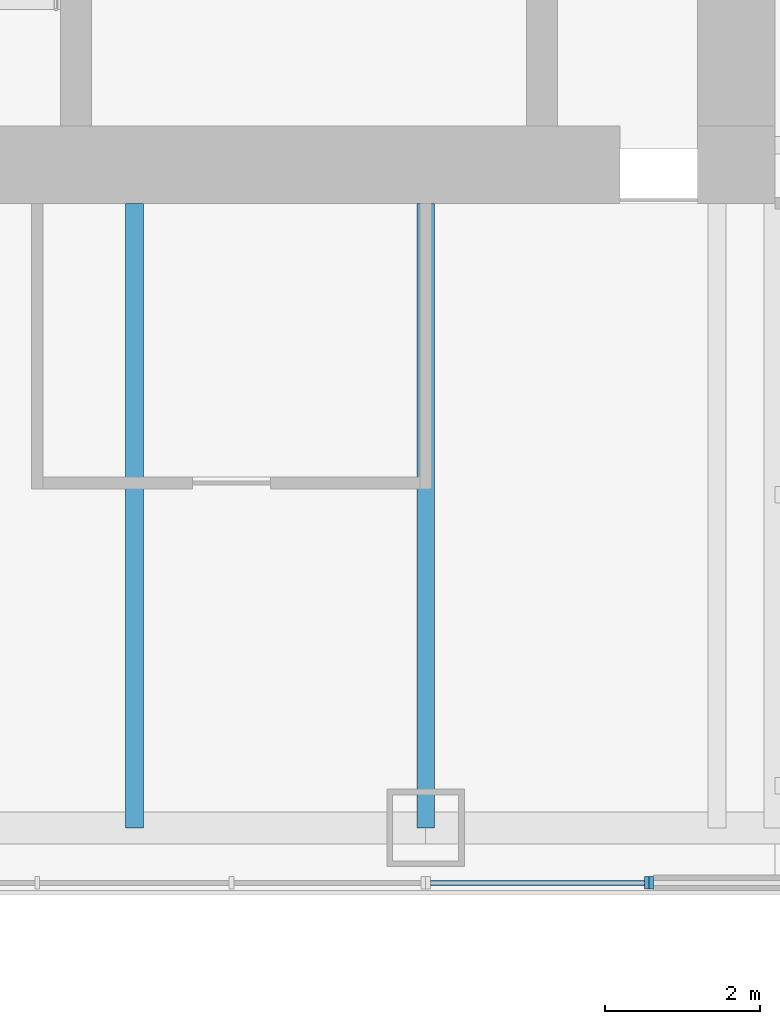
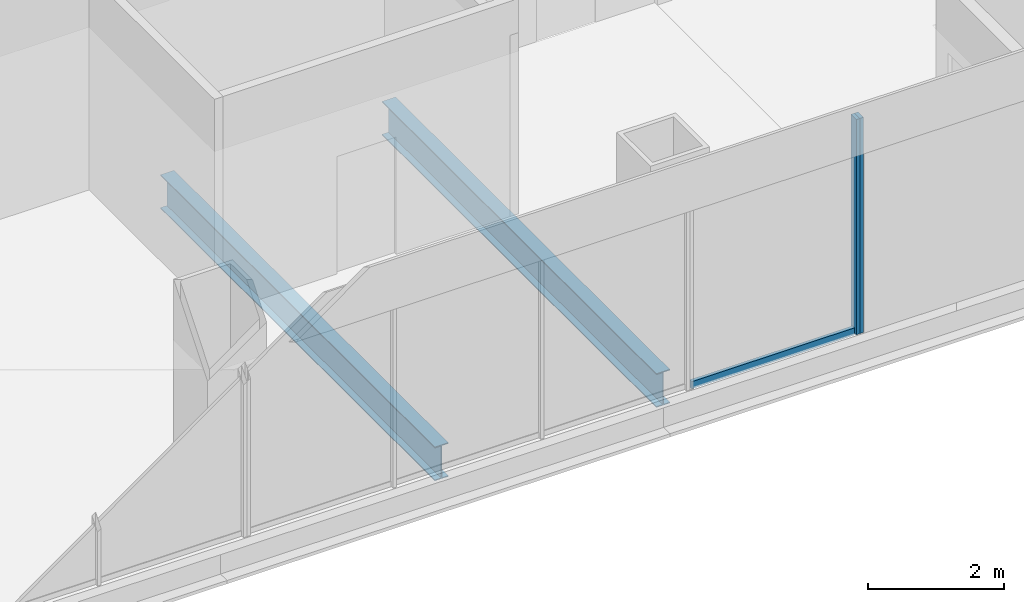
# One storey, part 3 of 14: 3 members, 2 beams, 2 elements without a shape of their own.
"""IFC4 building model written with IfcOpenShell, lengths in metres."""

from ifc_helpers import new_model, si_unit, direction, frame, origin, origin_2d, place, context, subcontext, project, spatial, rectangle, i_section, extrude, material, material_profile, profile_set, type_object, element, aggregate, save


model = new_model("IFC4")

# Units and contexts
model_context = context("Model", 3, precision=1e-05, world=origin(), true_north=direction((0.0, 1.0)))
body_context = subcontext(model_context, "Body", "Model", "MODEL_VIEW")
ifc_project = project(units=[si_unit("LENGTHUNIT", "METRE"), si_unit("AREAUNIT", "SQUARE_METRE"), si_unit("VOLUMEUNIT", "CUBIC_METRE"), si_unit("PLANEANGLEUNIT", "RADIAN"), si_unit("MASSUNIT", "GRAM", prefix="KILO")], contexts=[model_context])

# Site, building, storey
site_placement = place(None, origin())
site = spatial("IfcSite", under=ifc_project, at=site_placement, CompositionType="ELEMENT")
building_placement = place(site_placement, origin())
building = spatial("IfcBuilding", under=site, at=building_placement, Name="Tarangal Relay Tower", CompositionType="ELEMENT")
storey_placement = place(building_placement, frame((0.0, 0.0, 327.89990234375)))
storey = spatial("IfcBuildingStorey", under=building, at=storey_placement, Name="L73", CompositionType="ELEMENT", Elevation=327.89990234375)

# Beams
ifc_material_1 = material(Name="Steel ASTM A992", Category="steel")
ifc_material_profile_1 = material_profile(ifc_material_1, i_section(OverallWidth=0.228271484375, OverallDepth=0.607177734375, WebThickness=0.01123046875, FlangeThickness=0.017333984375, at=origin_2d()), Name="W24X76")
ifc_profile_set_1 = profile_set([ifc_material_profile_1], Name="Steel ASTM A992")
beam_type = type_object("IfcBeamType", Name="Floor beam W24X76", PredefinedType="BEAM", material=ifc_profile_set_1)
for number, where, z_axis, x_axis, name in (
    (1, (7.5, -12.0, -0.453369140625), (0.0, -1.0, 0.0), (1.0, 0.0, 0.0), "Floor beam RB5 S L73"),
    (2, (3.75, -12.0, -0.453369140625), (0.0, -1.0, 0.0), (1.0, 0.0, 0.0), "Floor beam RB5 S L73"),
):
    element("IfcBeam", number, at=place(storey_placement, frame(where, z_axis=z_axis, x_axis=x_axis)), inside=storey, type_object=beam_type, Name=name, PredefinedType="BEAM", context=body_context, shape_type="SweptSolid", body=[
        extrude(i_section(OverallWidth=0.228271484375, OverallDepth=0.607177734375, WebThickness=0.01123046875, FlangeThickness=0.017333984375, at=origin_2d()), origin(), (0.0, 0.0, 1.0), 8.0400390625),
    ])

# Curtain wall, member
ifc_material_2 = material(Name="Unitised curtain wall, dark glass and black aluminium", Category="aluminium")
curtain_wall_type_1 = type_object("IfcCurtainWallType", Name="Curtain wall CW-B", PredefinedType="USERDEFINED", material=ifc_material_2)
curtain_wall_1_placement = place(storey_placement, origin())
curtain_wall_1 = element("IfcCurtainWall", 3, at=curtain_wall_1_placement, inside=storey, type_object=curtain_wall_type_1, Name="Curtain wall CW-B S facade L73", ObjectType="UNITISED CURTAIN WALL", PredefinedType="USERDEFINED")
ifc_material_3 = material(Name="Black anodised aluminium mullion", Category="aluminium")
ifc_material_profile_2 = material_profile(ifc_material_3, rectangle(XDim=0.159912109375, YDim=0.06005859375, at=origin_2d()), Name="CW-BM 60X160")
ifc_profile_set_2 = profile_set([ifc_material_profile_2], Name="Black anodised aluminium mullion")
member_type_1 = type_object("IfcMemberType", Name="Mullion CW-B 60 x 160", PredefinedType="MULLION", material=ifc_profile_set_2)
member_1_placement = place(storey_placement, frame((10.344970703125, -20.75, 0.0), z_axis=(0.0, 0.0, 1.0), x_axis=(0.0, -1.0, 0.0)))
member_1 = element("IfcMember", 4, at=member_1_placement, type_object=member_type_1, Name="CW-B mullion 1", PredefinedType="MULLION", context=body_context, shape_type="SweptSolid", body=[
    extrude(rectangle(XDim=0.159912109375, YDim=0.06005859375, at=origin_2d()), origin(), (0.0, 0.0, 1.0), 3.85009765625),
])

ifc_material_4 = material(Name="Unitised curtain wall frame, black aluminium, with metal clad infill walls", Category="aluminium")
curtain_wall_type_2 = type_object("IfcCurtainWallType", Name="Curtain wall CW-BO", PredefinedType="USERDEFINED", material=ifc_material_4)
curtain_wall_2_placement = place(storey_placement, origin())
curtain_wall_2 = element("IfcCurtainWall", 5, at=curtain_wall_2_placement, inside=storey, type_object=curtain_wall_type_2, Name="Curtain wall CW-BO S facade L73", ObjectType="UNITISED CURTAIN WALL", PredefinedType="USERDEFINED")
ifc_material_profile_3 = material_profile(ifc_material_3, rectangle(XDim=0.159912109375, YDim=0.06005859375, at=origin_2d()), Name="CW-BOM 60X160")
ifc_profile_set_3 = profile_set([ifc_material_profile_3], Name="Black anodised aluminium mullion")
member_type_2 = type_object("IfcMemberType", Name="Mullion CW-BO 60 x 160", PredefinedType="MULLION", material=ifc_profile_set_3)
member_2_placement = place(storey_placement, frame((10.405029296875, -20.75, 0.0), z_axis=(0.0, 0.0, 1.0), x_axis=(0.0, -1.0, 0.0)))
member_2 = element("IfcMember", 6, at=member_2_placement, type_object=member_type_2, Name="CW-BO mullion 2", PredefinedType="MULLION", context=body_context, shape_type="SweptSolid", body=[
    extrude(rectangle(XDim=0.159912109375, YDim=0.06005859375, at=origin_2d()), origin(), (0.0, 0.0, 1.0), 3.85009765625),
])
aggregate(curtain_wall_2, [member_2])

# Member
ifc_material_5 = material(Name="Black anodised aluminium transom", Category="aluminium")
ifc_material_profile_4 = material_profile(ifc_material_5, rectangle(XDim=0.06005859375, YDim=0.1298828125, at=origin_2d()), Name="CW-BT 60X130")
ifc_profile_set_4 = profile_set([ifc_material_profile_4], Name="Black anodised aluminium transom")
member_type_3 = type_object("IfcMemberType", Name="Transom CW-B 60 x 130", PredefinedType="USERDEFINED", material=ifc_profile_set_4)
member_3_placement = place(storey_placement, frame((10.31494140625, -20.75, 0.030029296875), z_axis=(-1.0, 0.0, 0.0), x_axis=(0.0, -1.0, 0.0)))
member_3 = element("IfcMember", 7, at=member_3_placement, type_object=member_type_3, Name="CW-B transom 1.1", ObjectType="TRANSOM", PredefinedType="USERDEFINED", context=body_context, shape_type="SweptSolid", body=[
    extrude(rectangle(XDim=0.06005859375, YDim=0.1298828125, at=origin_2d()), origin(), (0.0, 0.0, 1.0), 2.7548828125),
])

aggregate(curtain_wall_1, [member_1, member_3])

save(model, "model.ifc")
